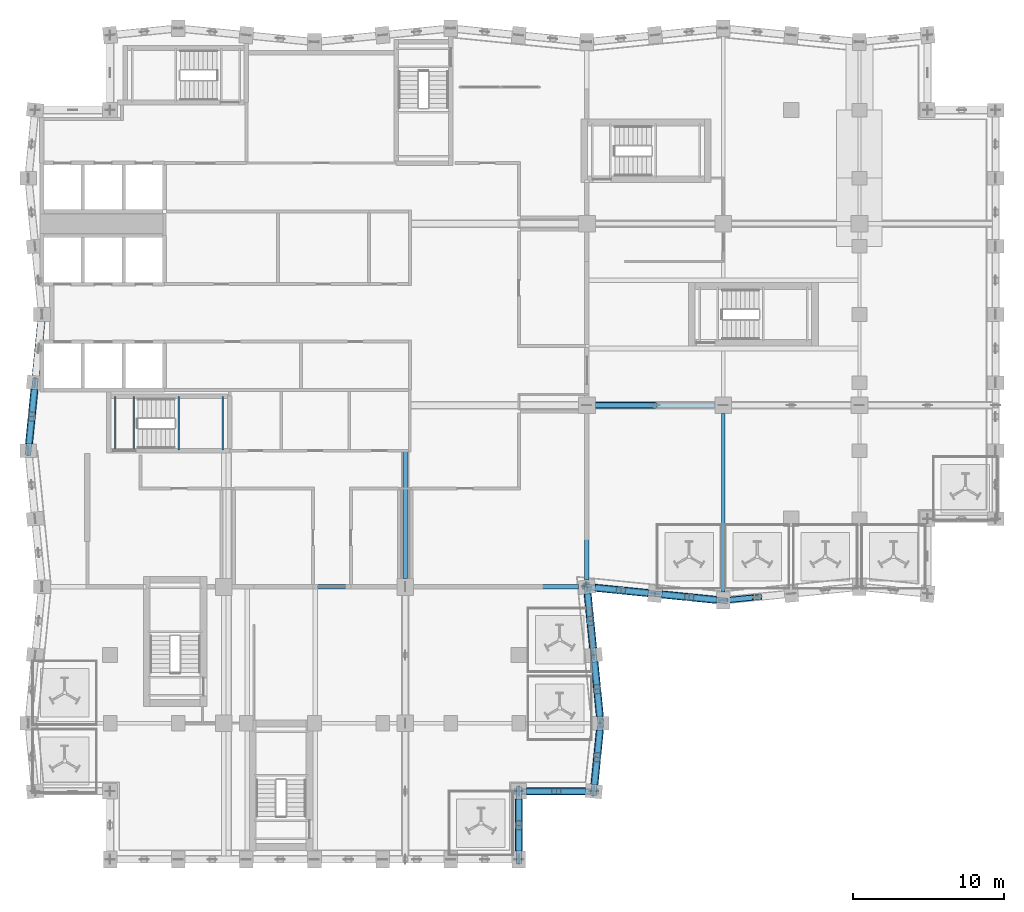
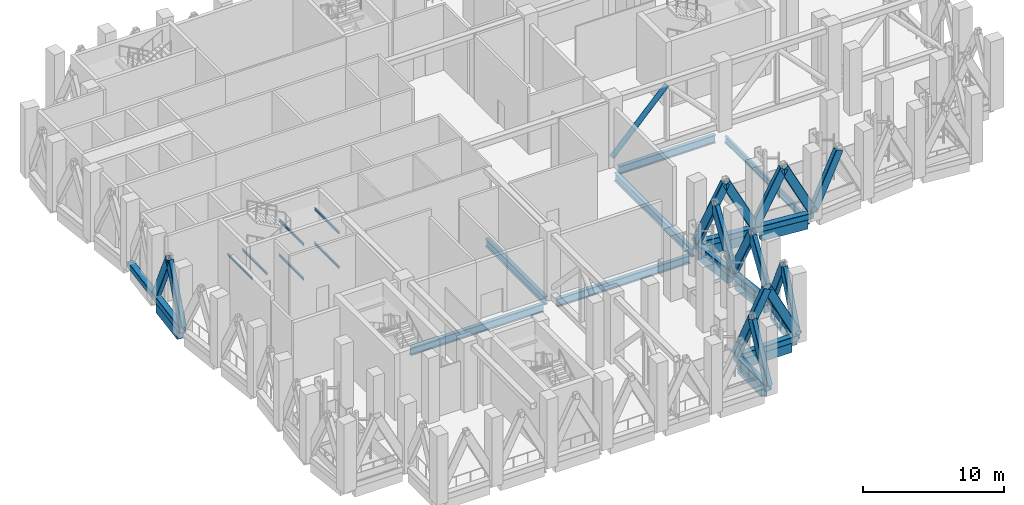
# One storey, part 3 of 28: 24 members, 20 beams.
"""IFC4 building model written with IfcOpenShell, lengths in metres."""

from ifc_helpers import new_model, si_unit, direction, frame, origin, origin_2d, place, context, subcontext, project, spatial, rectangle, hollow_rectangle, hollow_circle, i_section, extrude, material, material_profile, profile_set, type_object, element, save


model = new_model("IFC4")

# Units and contexts
model_context = context("Model", 3, precision=1e-05, world=origin(), true_north=direction((0.0, 1.0)))
body_context = subcontext(model_context, "Body", "Model", "MODEL_VIEW")
ifc_project = project(units=[si_unit("LENGTHUNIT", "METRE"), si_unit("AREAUNIT", "SQUARE_METRE"), si_unit("VOLUMEUNIT", "CUBIC_METRE"), si_unit("PLANEANGLEUNIT", "RADIAN"), si_unit("MASSUNIT", "GRAM", prefix="KILO")], contexts=[model_context])

# Site, building, storey
site_placement = place(None, origin())
site = spatial("IfcSite", under=ifc_project, at=site_placement, CompositionType="ELEMENT")
building_placement = place(site_placement, origin())
building = spatial("IfcBuilding", under=site, at=building_placement, Name="Brondeck Convention Tower", CompositionType="ELEMENT")
storey_placement = place(building_placement, frame((0.0, 0.0, 192.800048828125)))
storey = spatial("IfcBuildingStorey", under=building, at=storey_placement, Name="L47", CompositionType="ELEMENT", Elevation=192.800048828125)

# Members
ifc_material_1 = material(Name="Steel S460", Category="steel")
ifc_material_profile_1 = material_profile(ifc_material_1, hollow_rectangle(XDim=0.39990234375, YDim=0.699951171875, WallThickness=0.030029296875, InnerFilletRadius=0.030029296875, OuterFilletRadius=0.06005859375, at=origin_2d()), Name="RHS 700x400x30")
ifc_profile_set_1 = profile_set([ifc_material_profile_1], Name="Steel S460")
member_type_1 = type_object("IfcMemberType", Name="Chevron brace RHS 700x400x30", PredefinedType="BRACE", material=ifc_profile_set_1)
for number, where, z_axis, x_axis, name in (
    (1, (31.5, 9.0, 0.5), (0.0, 0.453998837511, 0.891002275832), (-1.0, 0.0, 0.0), "Belt truss BT-47-7 diagonal"),
    (2, (31.5, 13.5, 0.5), (0.0, -0.453998837511, 0.891002275832), (1.0, 0.0, 0.0), "Belt truss BT-47-7 diagonal"),
):
    element("IfcMember", number, at=place(storey_placement, frame(where, z_axis=z_axis, x_axis=x_axis)), inside=storey, type_object=member_type_1, Name=name, PredefinedType="BRACE", context=body_context, shape_type="SweptSolid", body=[
        extrude(hollow_rectangle(XDim=0.39990234375, YDim=0.699951171875, WallThickness=0.030029296875, InnerFilletRadius=0.030029296875, OuterFilletRadius=0.06005859375, at=origin_2d()), origin(), (0.0, 0.0, 1.0), 4.9560546875),
    ])
for number, where, z_axis, x_axis, name in (
    (3, (31.5, 13.5, 0.5), (0.454569809749, 0.0, 0.890711113698), (0.0, 1.0, 0.0), "Belt truss BT-47-8 diagonal"),
    (4, (36.449951171875, 13.5, 0.5), (-0.454534235534, 0.0, 0.890729267919), (0.0, -1.0, 0.0), "Belt truss BT-47-8 diagonal"),
):
    element("IfcMember", number, at=place(storey_placement, frame(where, z_axis=z_axis, x_axis=x_axis)), inside=storey, type_object=member_type_1, Name=name, PredefinedType="BRACE", context=body_context, shape_type="SweptSolid", body=[
        extrude(hollow_rectangle(XDim=0.39990234375, YDim=0.699951171875, WallThickness=0.030029296875, InnerFilletRadius=0.030029296875, OuterFilletRadius=0.06005859375, at=origin_2d()), origin(), (0.0, 0.0, 1.0), 5.44482421875),
    ])
for number, where, z_axis, x_axis, name in (
    (5, (36.449951171875, 13.5, 0.5), (0.045194554325, 0.451749471427, 0.89099936438), (-0.995032913332, 0.099546478526, 0.0), "Belt truss BT-47-9 diagonal"),
    (6, (36.89990234375, 18.0, 0.5), (-0.045145636329, -0.451750471668, 0.891001337186), (0.995043602151, -0.099439578731, 0.0), "Belt truss BT-47-9 diagonal"),
    (7, (36.89990234375, 18.0, 0.5), (-0.045145636329, 0.451750471668, 0.891001337186), (-0.995043602151, -0.099439578731, 0.0), "Belt truss BT-47-10 diagonal"),
    (8, (36.449951171875, 22.5, 0.5), (0.045194554325, -0.451749471427, 0.89099936438), (0.995032913332, 0.099546478526, 0.0), "Belt truss BT-47-10 diagonal"),
    (9, (36.449951171875, 22.5, 0.5), (-0.045145636329, 0.451750471668, 0.891001337186), (-0.995043602151, -0.099439578731, 0.0), "Belt truss BT-47-11 diagonal"),
    (10, (36.0, 27.0, 0.5), (0.045194554325, -0.451749471427, 0.89099936438), (0.995032913332, 0.099546478526, 0.0), "Belt truss BT-47-11 diagonal"),
    (11, (36.0, 27.0, 0.5), (0.451749471427, -0.045194554325, 0.89099936438), (0.099546478526, 0.995032913332, 0.0), "Belt truss BT-47-12 diagonal"),
    (12, (40.5, 26.550048828125, 0.5), (-0.451750471668, 0.045145636329, 0.891001337186), (-0.099439578731, -0.995043602151, 0.0), "Belt truss BT-47-12 diagonal"),
    (13, (40.5, 26.550048828125, 0.5), (0.451749471427, -0.045194554325, 0.89099936438), (0.099546478526, 0.995032913332, 0.0), "Belt truss BT-47-13 diagonal"),
    (14, (45.0, 26.10009765625, 0.5), (-0.451750471668, 0.045145636329, 0.891001337186), (-0.099439578731, -0.995043602151, 0.0), "Belt truss BT-47-13 diagonal"),
    (15, (45.0, 26.10009765625, 0.5), (0.451750471668, 0.045145636329, 0.891001337186), (-0.099439578731, 0.995043602151, 0.0), "Belt truss BT-47-14 diagonal"),
    (16, (-0.449951171875, 40.5, 0.5), (-0.045194554325, -0.451749471427, 0.89099936438), (0.995032913332, -0.099546478526, 0.0), "Belt truss BT-47-45 diagonal"),
    (17, (-0.89990234375, 36.0, 0.5), (0.045145636329, 0.451750471668, 0.891001337186), (-0.995043602151, 0.099439578731, 0.0), "Belt truss BT-47-45 diagonal"),
):
    element("IfcMember", number, at=place(storey_placement, frame(where, z_axis=z_axis, x_axis=x_axis)), inside=storey, type_object=member_type_1, Name=name, PredefinedType="BRACE", context=body_context, shape_type="SweptSolid", body=[
        extrude(hollow_rectangle(XDim=0.39990234375, YDim=0.699951171875, WallThickness=0.030029296875, InnerFilletRadius=0.030029296875, OuterFilletRadius=0.06005859375, at=origin_2d()), origin(), (0.0, 0.0, 1.0), 4.980712890625),
    ])

# Beams
ifc_material_2 = material(Name="Steel S355", Category="steel")
ifc_material_profile_2 = material_profile(ifc_material_2, i_section(OverallWidth=0.2099609375, OverallDepth=0.550048828125, WebThickness=0.010986328125, FlangeThickness=0.01708984375, FilletRadius=0.02392578125, at=origin_2d()), Name="IPE 550")
ifc_profile_set_2 = profile_set([ifc_material_profile_2], Name="Steel S355")
beam_type_1 = type_object("IfcBeamType", Name="Floor beam IPE 550", PredefinedType="BEAM", material=ifc_profile_set_2)
beam_1_placement = place(storey_placement, frame((45.0, 26.64990234375, -0.72509765625), z_axis=(0.0, 1.0, 0.0), x_axis=(-1.0, 0.0, 0.0)))
element("IfcBeam", 18, at=beam_1_placement, inside=storey, type_object=beam_type_1, Name="STR-FB-L47-001", PredefinedType="BEAM", context=body_context, shape_type="SweptSolid", body=[
    extrude(i_section(OverallWidth=0.2099609375, OverallDepth=0.550048828125, WebThickness=0.010986328125, FlangeThickness=0.01708984375, FilletRadius=0.02392578125, at=origin_2d()), origin(), (0.0, 0.0, 1.0), 11.800048828125),
])
ifc_material_profile_3 = material_profile(ifc_material_2, i_section(OverallWidth=0.300048828125, OverallDepth=0.699951171875, WebThickness=0.01708984375, FlangeThickness=0.031982421875, FilletRadius=0.027099609375, at=origin_2d()), Name="HEB 700")
ifc_profile_set_3 = profile_set([ifc_material_profile_3], Name="Steel S355")
beam_type_2 = type_object("IfcBeamType", Name="Girder HEB 700", PredefinedType="BEAM", material=ifc_profile_set_3)
beam_2_placement = place(storey_placement, frame((36.550048828125, 39.0, -0.800048828125), z_axis=(1.0, 0.0, 0.0), x_axis=(0.0, 1.0, 0.0)))
element("IfcBeam", 19, at=beam_2_placement, inside=storey, type_object=beam_type_2, Name="STR-GR-L47-001", PredefinedType="BEAM", context=body_context, shape_type="SweptSolid", body=[
    extrude(i_section(OverallWidth=0.300048828125, OverallDepth=0.699951171875, WebThickness=0.01708984375, FlangeThickness=0.031982421875, FilletRadius=0.027099609375, at=origin_2d()), origin(), (0.0, 0.0, 1.0), 7.89990234375),
])
beam_3_placement = place(storey_placement, frame((36.0, 27.4521484375, -0.800048828125), z_axis=(0.0, 1.0, 0.0), x_axis=(-1.0, 0.0, 0.0)))
element("IfcBeam", 20, at=beam_3_placement, inside=storey, type_object=beam_type_2, Name="STR-GR-L47-007", PredefinedType="BEAM", context=body_context, shape_type="SweptSolid", body=[
    extrude(i_section(OverallWidth=0.300048828125, OverallDepth=0.699951171875, WebThickness=0.01708984375, FlangeThickness=0.031982421875, FilletRadius=0.027099609375, at=origin_2d()), origin(), (0.0, 0.0, 1.0), 10.997802734375),
])
beam_4_placement = place(storey_placement, frame((24.0, 35.955078125, -0.800048828125), z_axis=(0.0, -1.0, 0.0), x_axis=(1.0, 0.0, 0.0)))
element("IfcBeam", 21, at=beam_4_placement, inside=storey, type_object=beam_type_2, Name="STR-GR-L47-014", PredefinedType="BEAM", context=body_context, shape_type="SweptSolid", body=[
    extrude(i_section(OverallWidth=0.300048828125, OverallDepth=0.699951171875, WebThickness=0.01708984375, FlangeThickness=0.031982421875, FilletRadius=0.027099609375, at=origin_2d()), origin(), (0.0, 0.0, 1.0), 8.405029296875),
])
beam_5_placement = place(storey_placement, frame((12.550048828125, 27.0, -0.800048828125), z_axis=(1.0, 0.0, 0.0), x_axis=(0.0, 1.0, 0.0)))
element("IfcBeam", 22, at=beam_5_placement, inside=storey, type_object=beam_type_2, Name="STR-GR-L47-018", PredefinedType="BEAM", context=body_context, shape_type="SweptSolid", body=[
    extrude(i_section(OverallWidth=0.300048828125, OverallDepth=0.699951171875, WebThickness=0.01708984375, FlangeThickness=0.031982421875, FilletRadius=0.027099609375, at=origin_2d()), origin(), (0.0, 0.0, 1.0), 10.89990234375),
])
beam_6_placement = place(storey_placement, frame((24.550048828125, 27.0, -0.800048828125), z_axis=(1.0, 0.0, 0.0), x_axis=(0.0, 1.0, 0.0)))
element("IfcBeam", 23, at=beam_6_placement, inside=storey, type_object=beam_type_2, Name="STR-GR-L47-019", PredefinedType="BEAM", context=body_context, shape_type="SweptSolid", body=[
    extrude(i_section(OverallWidth=0.300048828125, OverallDepth=0.699951171875, WebThickness=0.01708984375, FlangeThickness=0.031982421875, FilletRadius=0.027099609375, at=origin_2d()), origin(), (0.0, 0.0, 1.0), 10.897216796875),
])
ifc_material_profile_4 = material_profile(ifc_material_2, i_section(OverallWidth=0.10009765625, OverallDepth=0.199951171875, WebThickness=0.005615234375, FlangeThickness=0.008544921875, FilletRadius=0.011962890625, at=origin_2d()), Name="IPE200")
ifc_profile_set_4 = profile_set([ifc_material_profile_4], Name="Steel S355")
beam_type_3 = type_object("IfcBeamType", Name="Landing ledger beam IPE 200", PredefinedType="BEAM", material=ifc_profile_set_4)
for number, where, z_axis, x_axis, name in (
    (24, (9.050048828125, 36.030029296875, 1.14990234375), (0.0, 1.0, 0.0), (-1.0, 0.0, 0.0), "L47 ST-1 landing beam"),
    (25, (11.949951171875, 36.030029296875, 1.14990234375), (0.0, 1.0, 0.0), (-1.0, 0.0, 0.0), "L47 ST-1 landing beam"),
    (26, (4.85009765625, 36.030029296875, 2.64990234375), (0.0, 1.0, 0.0), (-1.0, 0.0, 0.0), "L47 ST-1 landing beam"),
    (27, (6.050048828125, 36.030029296875, 2.64990234375), (0.0, 1.0, 0.0), (-1.0, 0.0, 0.0), "L47 ST-1 landing beam"),
    (28, (9.050048828125, 36.030029296875, 4.14990234375), (0.0, 1.0, 0.0), (-1.0, 0.0, 0.0), "L47 ST-1 landing beam"),
    (29, (11.949951171875, 36.030029296875, 4.14990234375), (0.0, 1.0, 0.0), (-1.0, 0.0, 0.0), "L47 ST-1 landing beam"),
):
    element("IfcBeam", number, at=place(storey_placement, frame(where, z_axis=z_axis, x_axis=x_axis)), inside=storey, type_object=beam_type_3, Name=name, PredefinedType="BEAM", context=body_context, shape_type="SweptSolid", body=[
        extrude(i_section(OverallWidth=0.10009765625, OverallDepth=0.199951171875, WebThickness=0.005615234375, FlangeThickness=0.008544921875, FilletRadius=0.011962890625, at=origin_2d()), origin(), (0.0, 0.0, 1.0), 3.5400390625),
    ])
ifc_material_3 = material(Name="Concrete C70/85", Category="concrete")
ifc_material_profile_5 = material_profile(ifc_material_3, rectangle(XDim=0.449951171875, YDim=0.800048828125, at=origin_2d()), Name="Precast spandrel 450x800 Concrete C70/85")
ifc_profile_set_5 = profile_set([ifc_material_profile_5], Name="Concrete C70/85")
beam_type_4 = type_object("IfcBeamType", Name="Precast spandrel 450x800 Concrete C70/85", PredefinedType="SPANDREL", material=ifc_profile_set_5)
beam_7_placement = place(storey_placement, frame((31.5, 9.550048828125, -0.400146484375), z_axis=(0.0, 1.0, 0.0), x_axis=(-1.0, 0.0, 0.0)))
element("IfcBeam", 30, at=beam_7_placement, inside=storey, type_object=beam_type_4, Name="STR-SP-L47-007", PredefinedType="SPANDREL", context=body_context, shape_type="SweptSolid", body=[
    extrude(rectangle(XDim=0.449951171875, YDim=0.800048828125, at=origin_2d()), origin(), (0.0, 0.0, 1.0), 3.449951171875),
])
beam_8_placement = place(storey_placement, frame((32.0, 13.5, -0.400146484375), z_axis=(1.0, 0.0, 0.0), x_axis=(0.0, 1.0, 0.0)))
element("IfcBeam", 31, at=beam_8_placement, inside=storey, type_object=beam_type_4, Name="STR-SP-L47-008", PredefinedType="SPANDREL", context=body_context, shape_type="SweptSolid", body=[
    extrude(rectangle(XDim=0.449951171875, YDim=0.800048828125, at=origin_2d()), origin(), (0.0, 0.0, 1.0), 3.897216796875),
])
for number, where, z_axis, x_axis, name in (
    (32, (36.494873046875, 13.94775390625, -0.400146484375), (0.099470334057, 0.995040528141, 0.0), (-0.995040528141, 0.099470334057, 0.0), "STR-SP-L47-009"),
    (33, (36.85498046875, 18.449951171875, -0.400146484375), (-0.099470334057, 0.995040528141, 0.0), (-0.995040528141, -0.099470334057, 0.0), "STR-SP-L47-010"),
):
    element("IfcBeam", number, at=place(storey_placement, frame(where, z_axis=z_axis, x_axis=x_axis)), inside=storey, type_object=beam_type_4, Name=name, PredefinedType="SPANDREL", context=body_context, shape_type="SweptSolid", body=[
        extrude(rectangle(XDim=0.449951171875, YDim=0.800048828125, at=origin_2d()), origin(), (0.0, 0.0, 1.0), 3.620361328125),
    ])
beam_9_placement = place(storey_placement, frame((36.4052734375, 22.94775390625, -0.400146484375), z_axis=(-0.099543756114, 0.995033185687, 0.0), x_axis=(-0.995033185687, -0.099543756114, 0.0)))
element("IfcBeam", 34, at=beam_9_placement, inside=storey, type_object=beam_type_4, Name="STR-SP-L47-011", PredefinedType="SPANDREL", context=body_context, shape_type="SweptSolid", body=[
    extrude(rectangle(XDim=0.449951171875, YDim=0.800048828125, at=origin_2d()), origin(), (0.0, 0.0, 1.0), 3.62255859375),
])
beam_10_placement = place(storey_placement, frame((36.558349609375, 26.944091796875, -0.400146484375), z_axis=(0.995037878598, -0.099496834901, 0.0), x_axis=(0.099496834901, 0.995037878598, 0.0)))
element("IfcBeam", 35, at=beam_10_placement, inside=storey, type_object=beam_type_4, Name="STR-SP-L47-012", PredefinedType="SPANDREL", context=body_context, shape_type="SweptSolid", body=[
    extrude(rectangle(XDim=0.449951171875, YDim=0.800048828125, at=origin_2d()), origin(), (0.0, 0.0, 1.0), 3.51123046875),
])
for number, where, z_axis, x_axis, name in (
    (36, (40.94775390625, 26.505126953125, -0.400146484375), (0.995040528141, -0.099470334057, 0.0), (0.099470334057, 0.995040528141, 0.0), "STR-SP-L47-013"),
    (37, (-0.494873046875, 40.05224609375, -0.400146484375), (-0.099470334057, -0.995040528141, 0.0), (0.995040528141, -0.099470334057, 0.0), "STR-SP-L47-045"),
):
    element("IfcBeam", number, at=place(storey_placement, frame(where, z_axis=z_axis, x_axis=x_axis)), inside=storey, type_object=beam_type_4, Name=name, PredefinedType="SPANDREL", context=body_context, shape_type="SweptSolid", body=[
        extrude(rectangle(XDim=0.449951171875, YDim=0.800048828125, at=origin_2d()), origin(), (0.0, 0.0, 1.0), 3.620361328125),
    ])

# Members
ifc_material_profile_6 = material_profile(ifc_material_1, hollow_rectangle(XDim=0.5, YDim=0.5, WallThickness=0.02490234375, InnerFilletRadius=0.02490234375, OuterFilletRadius=0.050048828125, at=origin_2d()), Name="RHS 500x500x25")
ifc_profile_set_6 = profile_set([ifc_material_profile_6], Name="Steel S460")
member_type_2 = type_object("IfcMemberType", Name="Truss chord RHS 500x500x25", PredefinedType="CHORD", material=ifc_profile_set_6)
member_1_placement = place(storey_placement, frame((31.5, 9.0, 0.25), z_axis=(0.0, 1.0, 0.0), x_axis=(-1.0, 0.0, 0.0)))
element("IfcMember", 38, at=member_1_placement, inside=storey, type_object=member_type_2, Name="Belt truss BT-47-2 chord", PredefinedType="CHORD", context=body_context, shape_type="SweptSolid", body=[
    extrude(hollow_rectangle(XDim=0.5, YDim=0.5, WallThickness=0.02490234375, InnerFilletRadius=0.02490234375, OuterFilletRadius=0.050048828125, at=origin_2d()), origin(), (0.0, 0.0, 1.0), 4.5),
])
member_2_placement = place(storey_placement, frame((31.5, 13.5, 0.25), z_axis=(1.0, 0.0, 0.0), x_axis=(0.0, 1.0, 0.0)))
element("IfcMember", 39, at=member_2_placement, inside=storey, type_object=member_type_2, Name="Belt truss BT-47-3 chord", PredefinedType="CHORD", context=body_context, shape_type="SweptSolid", body=[
    extrude(hollow_rectangle(XDim=0.5, YDim=0.5, WallThickness=0.02490234375, InnerFilletRadius=0.02490234375, OuterFilletRadius=0.050048828125, at=origin_2d()), origin(), (0.0, 0.0, 1.0), 4.949951171875),
])
member_3_placement = place(storey_placement, frame((36.449951171875, 13.5, 0.25), z_axis=(0.099493029059, 0.995038259148, 0.0), x_axis=(-0.995038259148, 0.099493029059, 0.0)))
element("IfcMember", 40, at=member_3_placement, inside=storey, type_object=member_type_2, Name="Belt truss BT-47-4 chord", PredefinedType="CHORD", context=body_context, shape_type="SweptSolid", body=[
    extrude(hollow_rectangle(XDim=0.5, YDim=0.5, WallThickness=0.02490234375, InnerFilletRadius=0.02490234375, OuterFilletRadius=0.050048828125, at=origin_2d()), origin(), (0.0, 0.0, 1.0), 4.5224609375),
])
for number, where, z_axis, x_axis, name in (
    (41, (36.89990234375, 18.0, 0.25), (-0.099493029059, 0.995038259148, 0.0), (-0.995038259148, -0.099493029059, 0.0), "Belt truss BT-47-5 chord"),
    (42, (36.0, 27.0, 0.25), (0.995038259148, -0.099493029059, 0.0), (0.099493029059, 0.995038259148, 0.0), "Belt truss BT-47-6 chord"),
    (43, (0.0, 45.0, 0.25), (-0.099493029059, -0.995038259148, 0.0), (0.995038259148, -0.099493029059, 0.0), "Belt truss BT-47-25 chord"),
):
    element("IfcMember", number, at=place(storey_placement, frame(where, z_axis=z_axis, x_axis=x_axis)), inside=storey, type_object=member_type_2, Name=name, PredefinedType="CHORD", context=body_context, shape_type="SweptSolid", body=[
        extrude(hollow_rectangle(XDim=0.5, YDim=0.5, WallThickness=0.02490234375, InnerFilletRadius=0.02490234375, OuterFilletRadius=0.050048828125, at=origin_2d()), origin(), (0.0, 0.0, 1.0), 9.044921875),
    ])
ifc_material_profile_7 = material_profile(ifc_material_1, hollow_circle(Radius=0.203125, WallThickness=0.02490234375, at=origin_2d()), Name="CHS 406.4x25")
ifc_profile_set_7 = profile_set([ifc_material_profile_7], Name="Steel S460")
member_type_3 = type_object("IfcMemberType", Name="Truss diagonal CHS 406.4x25", PredefinedType="BRACE", material=ifc_profile_set_7)
member_4_placement = place(storey_placement, frame((36.0, 39.0, 0.5), z_axis=(0.691575247608, 0.0, 0.722304421208), x_axis=(0.0, 1.0, 0.0)))
element("IfcMember", 44, at=member_4_placement, inside=storey, type_object=member_type_3, Name="Outrigger truss OT-47-A1 diagonal", PredefinedType="BRACE", context=body_context, shape_type="SweptSolid", body=[
    extrude(hollow_circle(Radius=0.203125, WallThickness=0.02490234375, at=origin_2d()), origin(), (0.0, 0.0, 1.0), 6.5068359375),
])

save(model, "model.ifc")
